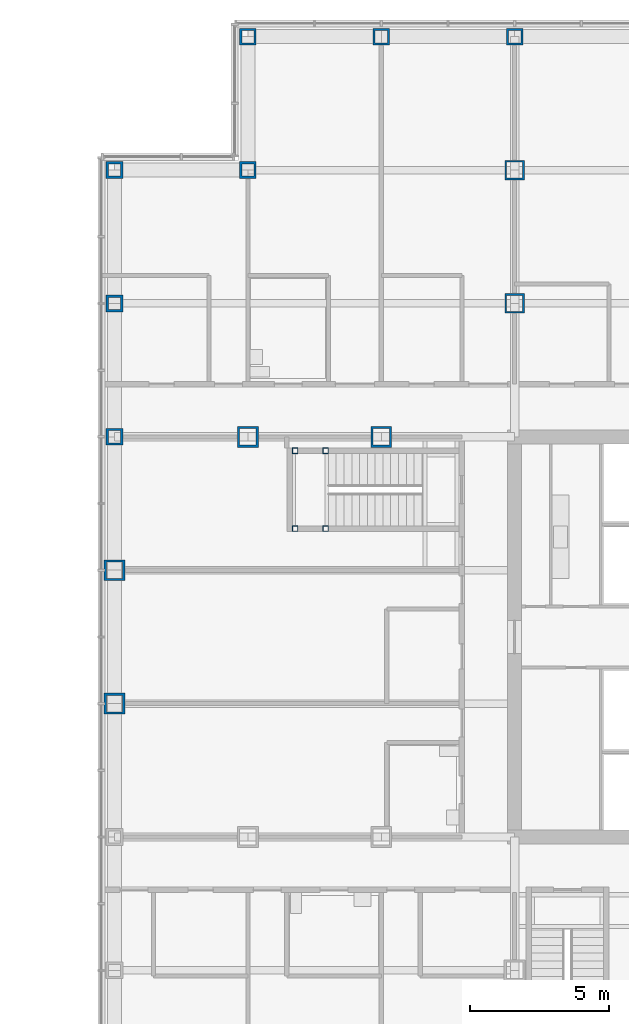
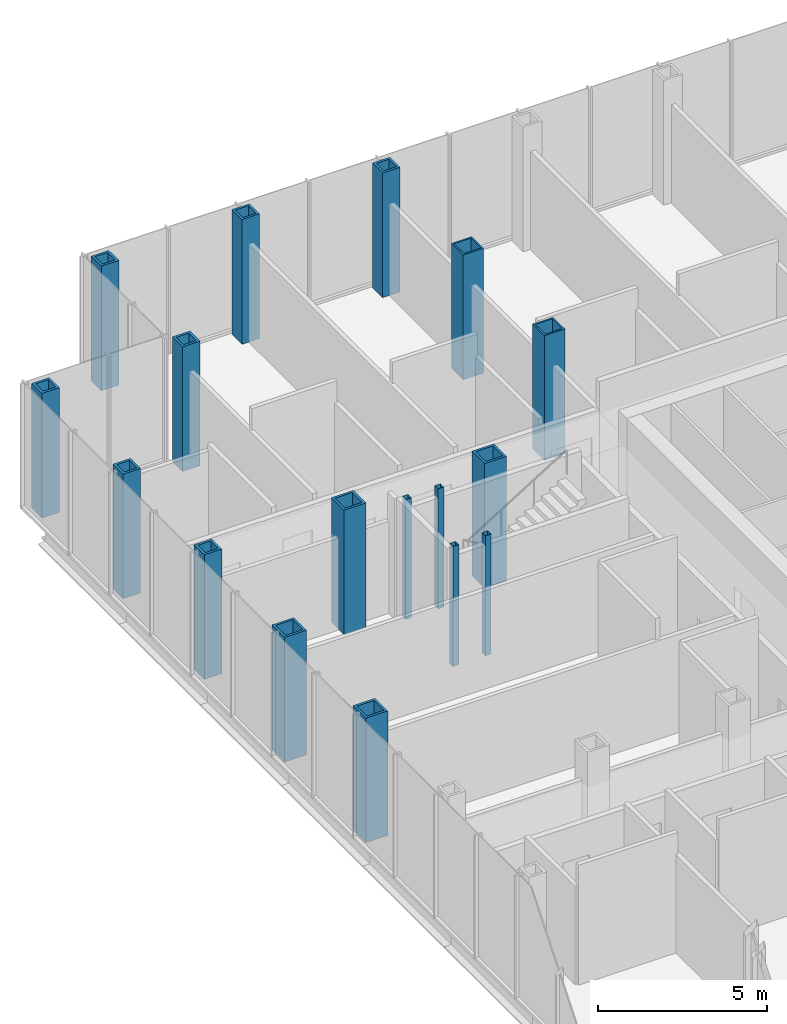
# One storey, part 7 of 28: 17 columns.
"""IFC4 building model written with IfcOpenShell, lengths in metres."""

from ifc_helpers import new_model, si_unit, direction, frame, origin, origin_2d, place, context, subcontext, project, spatial, hollow_rectangle, extrude, material, material_profile, profile_set, type_object, element, save


model = new_model("IFC4")

# Units and contexts
model_context = context("Model", 3, precision=1e-05, world=origin(), true_north=direction((0.0, 1.0)))
body_context = subcontext(model_context, "Body", "Model", "MODEL_VIEW")
ifc_project = project(units=[si_unit("LENGTHUNIT", "METRE"), si_unit("AREAUNIT", "SQUARE_METRE"), si_unit("VOLUMEUNIT", "CUBIC_METRE"), si_unit("PLANEANGLEUNIT", "RADIAN"), si_unit("MASSUNIT", "GRAM", prefix="KILO")], contexts=[model_context])

# Site, building, storey
site_placement = place(None, origin())
site = spatial("IfcSite", under=ifc_project, at=site_placement, CompositionType="ELEMENT")
building_placement = place(site_placement, origin())
building = spatial("IfcBuilding", under=site, at=building_placement, Name="Kvirike Care Tower", CompositionType="ELEMENT")
storey_placement = place(building_placement, frame((0.0, 0.0, 4.5)))
storey = spatial("IfcBuildingStorey", under=building, at=storey_placement, Name="L01", CompositionType="ELEMENT", Elevation=4.5)

# Columns
ifc_material_1 = material(Name="Steel S460", Category="steel")
ifc_material_profile_1 = material_profile(ifc_material_1, hollow_rectangle(XDim=0.60009765625, YDim=0.60009765625, WallThickness=0.080078125, at=origin_2d()), Name="BX 600x600x80")
ifc_profile_set_1 = profile_set([ifc_material_profile_1], Name="Steel S460")
column_type_1 = type_object("IfcColumnType", Name="COLUMN BX 600x600x80", PredefinedType="COLUMN", material=ifc_profile_set_1)
for number, where, z_axis, x_axis, name in (
    (1, (0.0, 43.199951171875, 0.0), (0.0, 0.0, 1.0), (0.0, 1.0, 0.0), "Column K3 L01"),
    (2, (0.0, 48.0, 0.0), (0.0, 0.0, 1.0), (1.0, 0.0, 0.0), "Column L3 L01"),
    (3, (0.0, 52.800048828125, 0.0), (0.0, 0.0, 1.0), (0.0, 1.0, 0.0), "Column M3 L01"),
    (4, (4.800048828125, 52.800048828125, 0.0), (0.0, 0.0, 1.0), (0.0, 1.0, 0.0), "Column M4 L01"),
    (5, (4.800048828125, 57.60009765625, 0.0), (0.0, 0.0, 1.0), (0.0, 1.0, 0.0), "Column N4 L01"),
    (6, (9.60009765625, 57.60009765625, 0.0), (0.0, 0.0, 1.0), (0.0, 1.0, 0.0), "Column N5 L01"),
    (7, (14.39990234375, 57.60009765625, 0.0), (0.0, 0.0, 1.0), (0.0, 1.0, 0.0), "Column N6 L01"),
):
    element("IfcColumn", number, at=place(storey_placement, frame(where, z_axis=z_axis, x_axis=x_axis)), inside=storey, type_object=column_type_1, Name=name, PredefinedType="COLUMN", context=body_context, shape_type="SweptSolid", body=[
        extrude(hollow_rectangle(XDim=0.60009765625, YDim=0.60009765625, WallThickness=0.080078125, at=origin_2d()), origin(), (0.0, 0.0, 1.0), 4.5),
    ])
ifc_material_2 = material(Name="Steel S460", Category="steel")
ifc_material_profile_2 = material_profile(ifc_material_2, hollow_rectangle(XDim=0.699951171875, YDim=0.699951171875, WallThickness=0.06005859375, at=origin_2d()), Name="BX 700x700x60")
ifc_profile_set_2 = profile_set([ifc_material_profile_2], Name="Steel S460")
column_type_2 = type_object("IfcColumnType", Name="COLUMN BX 700x700x60", PredefinedType="COLUMN", material=ifc_profile_set_2)
for number, where, z_axis, x_axis, name in (
    (8, (14.39990234375, 48.0, 0.0), (0.0, 0.0, 1.0), (1.0, 0.0, 0.0), "Column L6 L01"),
    (9, (14.39990234375, 52.800048828125, 0.0), (0.0, 0.0, 1.0), (1.0, 0.0, 0.0), "Column M6 L01"),
):
    element("IfcColumn", number, at=place(storey_placement, frame(where, z_axis=z_axis, x_axis=x_axis)), inside=storey, type_object=column_type_2, Name=name, PredefinedType="COLUMN", context=body_context, shape_type="SweptSolid", body=[
        extrude(hollow_rectangle(XDim=0.699951171875, YDim=0.699951171875, WallThickness=0.06005859375, at=origin_2d()), origin(), (0.0, 0.0, 1.0), 4.5),
    ])
ifc_material_3 = material(Name="Steel S460", Category="steel")
ifc_material_profile_3 = material_profile(ifc_material_3, hollow_rectangle(XDim=0.75, YDim=0.75, WallThickness=0.080078125, at=origin_2d()), Name="BX 750x750x80")
ifc_profile_set_3 = profile_set([ifc_material_profile_3], Name="Steel S460")
column_type_3 = type_object("IfcColumnType", Name="COLUMN BX 750x750x80", PredefinedType="COLUMN", material=ifc_profile_set_3)
for number, where, z_axis, x_axis, name in (
    (10, (0.0, 33.60009765625, 0.0), (0.0, 0.0, 1.0), (1.0, 0.0, 0.0), "Column H3 L01"),
    (11, (0.0, 38.39990234375, 0.0), (0.0, 0.0, 1.0), (1.0, 0.0, 0.0), "Column J3 L01"),
    (12, (4.800048828125, 43.199951171875, 0.0), (0.0, 0.0, 1.0), (0.0, 1.0, 0.0), "Column K4 L01"),
    (13, (9.60009765625, 43.199951171875, 0.0), (0.0, 0.0, 1.0), (0.0, 1.0, 0.0), "Column K5 L01"),
):
    element("IfcColumn", number, at=place(storey_placement, frame(where, z_axis=z_axis, x_axis=x_axis)), inside=storey, type_object=column_type_3, Name=name, PredefinedType="COLUMN", context=body_context, shape_type="SweptSolid", body=[
        extrude(hollow_rectangle(XDim=0.75, YDim=0.75, WallThickness=0.080078125, at=origin_2d()), origin(), (0.0, 0.0, 1.0), 4.5),
    ])
ifc_material_4 = material(Name="Steel S460", Category="steel")
ifc_material_profile_4 = material_profile(ifc_material_4, hollow_rectangle(XDim=0.199951171875, YDim=0.199951171875, WallThickness=0.008056640625, at=origin_2d()), Name="SHS 200x200x8")
ifc_profile_set_4 = profile_set([ifc_material_profile_4], Name="Steel S460")
column_type_4 = type_object("IfcColumnType", Name="STAIR POST SHS 200x200x8", PredefinedType="COLUMN", material=ifc_profile_set_4)
for number, where, z_axis, x_axis, name in (
    (14, (6.5, 42.699951171875, 0.0), (0.0, 0.0, 1.0), (1.0, 0.0, 0.0), "Stair 1 post 1 L01"),
    (15, (6.5, 39.89990234375, 0.0), (0.0, 0.0, 1.0), (1.0, 0.0, 0.0), "Stair 1 post 2 L01"),
    (16, (7.60009765625, 42.699951171875, 0.0), (0.0, 0.0, 1.0), (1.0, 0.0, 0.0), "Stair 1 post 3 L01"),
    (17, (7.60009765625, 39.89990234375, 0.0), (0.0, 0.0, 1.0), (1.0, 0.0, 0.0), "Stair 1 post 4 L01"),
):
    element("IfcColumn", number, at=place(storey_placement, frame(where, z_axis=z_axis, x_axis=x_axis)), inside=storey, type_object=column_type_4, Name=name, PredefinedType="COLUMN", context=body_context, shape_type="SweptSolid", body=[
        extrude(hollow_rectangle(XDim=0.199951171875, YDim=0.199951171875, WallThickness=0.008056640625, at=origin_2d()), origin(), (0.0, 0.0, 1.0), 4.330078125),
    ])

save(model, "model.ifc")
